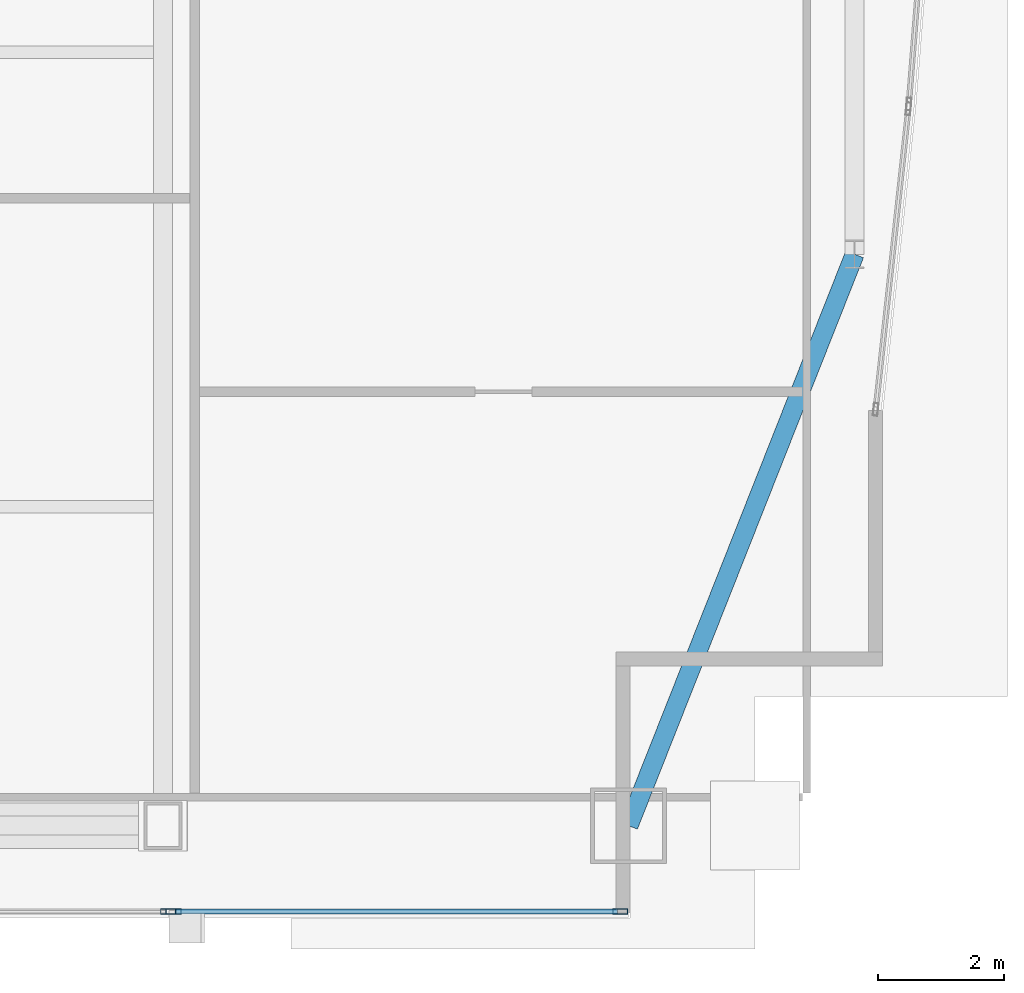
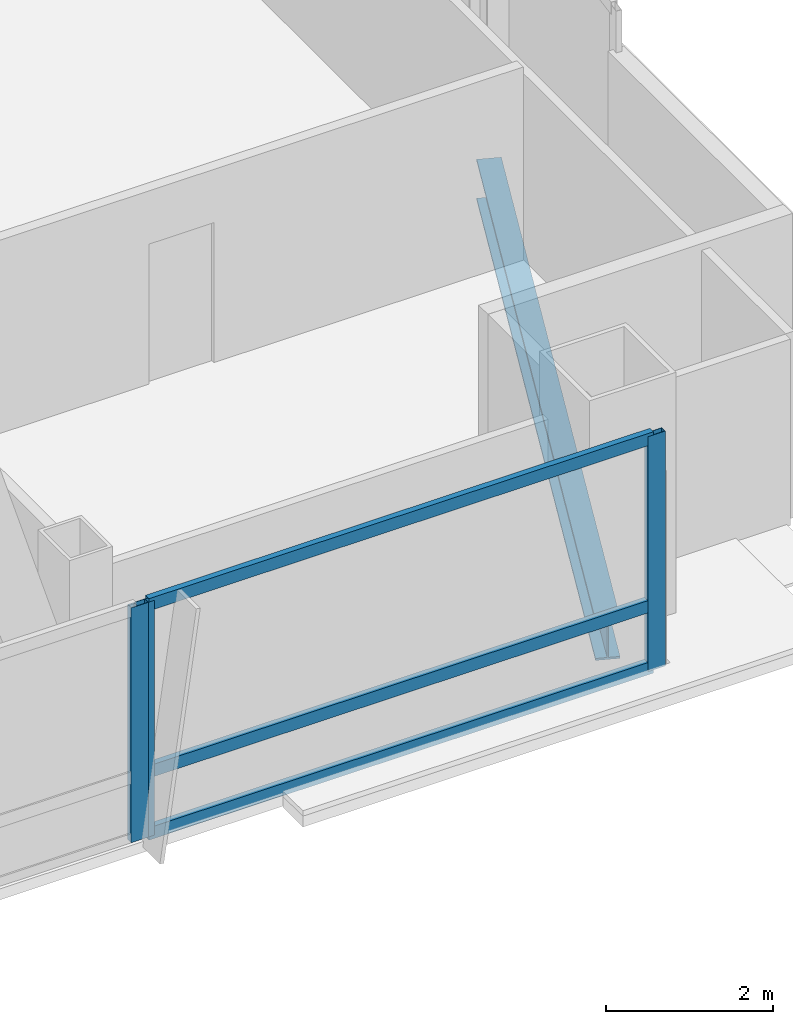
# One storey, part 14 of 32: 6 members, 1 beam, 2 elements without a shape of their own.
"""IFC4 building model written with IfcOpenShell, lengths in metres."""

from ifc_helpers import new_model, si_unit, direction, frame, origin, origin_2d, place, context, subcontext, project, spatial, hollow_rectangle, i_section, extrude, material, material_profile, profile_set, type_object, element, aggregate, save


model = new_model("IFC4")

# Units and contexts
model_context = context("Model", 3, precision=1e-05, world=origin(), true_north=direction((0.0, 1.0)))
body_context = subcontext(model_context, "Body", "Model", "MODEL_VIEW")
ifc_project = project(units=[si_unit("LENGTHUNIT", "METRE"), si_unit("AREAUNIT", "SQUARE_METRE"), si_unit("VOLUMEUNIT", "CUBIC_METRE"), si_unit("PLANEANGLEUNIT", "RADIAN"), si_unit("MASSUNIT", "GRAM", prefix="KILO")], contexts=[model_context])

# Site, building, storey
site_placement = place(None, origin())
site = spatial("IfcSite", under=ifc_project, at=site_placement, CompositionType="ELEMENT")
building_placement = place(site_placement, origin())
building = spatial("IfcBuilding", under=site, at=building_placement, Name="Khoronbel Lancet Exchange", CompositionType="ELEMENT")
storey_placement = place(building_placement, frame((0.0, 0.0, 188.60009765625)))
storey = spatial("IfcBuildingStorey", under=building, at=storey_placement, Name="L47", CompositionType="ELEMENT", Elevation=188.60009765625)

# Beam
ifc_material_1 = material(Name="Steel S355", Category="steel")
ifc_material_profile_1 = material_profile(ifc_material_1, i_section(OverallWidth=0.300048828125, OverallDepth=0.60009765625, WebThickness=0.015380859375, FlangeThickness=0.030029296875, at=origin_2d()), Name="HEB 600")
ifc_profile_set_1 = profile_set([ifc_material_profile_1], Name="Steel S355")
beam_type = type_object("IfcBeamType", Name="BM-BSP2", PredefinedType="SPANDREL", material=ifc_profile_set_1)
beam_placement = place(storey_placement, frame((62.050048828125, 10.14990234375, -0.460205078125), z_axis=(0.367828403855, 0.929893684954, 0.0), x_axis=(-0.929893684954, 0.367828403855, 0.0)))
element("IfcBeam", 1, at=beam_placement, inside=storey, type_object=beam_type, Name="Level L47 perimeter spandrel beam SP08", PredefinedType="SPANDREL", context=body_context, shape_type="SweptSolid", body=[
    extrude(i_section(OverallWidth=0.300048828125, OverallDepth=0.60009765625, WebThickness=0.015380859375, FlangeThickness=0.030029296875, at=origin_2d()), origin(), (0.0, 0.0, 1.0), 9.732421875),
])

# Curtain wall, member
ifc_material_2 = material(Name="Low-E Solar Control Insulating Glass", Category="glass")
curtain_wall_type = type_object("IfcCurtainWallType", Name="CW-3", PredefinedType="NOTDEFINED", material=ifc_material_2)
curtain_wall_1_placement = place(storey_placement, origin())
curtain_wall_1 = element("IfcCurtainWall", 2, at=curtain_wall_1_placement, inside=storey, type_object=curtain_wall_type, Name="Unitised curtain wall CW-L47-SEB", PredefinedType="NOTDEFINED")
ifc_material_3 = material(Name="Bronze-Anodised Aluminium 6063-T6", Category="aluminium")
ifc_material_profile_2 = material_profile(ifc_material_3, hollow_rectangle(XDim=0.0849609375, YDim=0.239990234375, WallThickness=0.006103515625, at=origin_2d()), Name="ALU MULLION 85x240")
ifc_profile_set_2 = profile_set([ifc_material_profile_2], Name="Bronze-Anodised Aluminium 6063-T6")
member_type_1 = type_object("IfcMemberType", Name="MEM-CWM1", PredefinedType="MULLION", material=ifc_profile_set_2)
member_1_placement = place(storey_placement, frame((54.757568359375, 8.7900390625, 0.0), z_axis=(0.0, 0.0, 1.0), x_axis=(0.0, 1.0, 0.0)))
member_1 = element("IfcMember", 3, at=member_1_placement, type_object=member_type_1, Name="CW3 mullion 2", PredefinedType="MULLION", context=body_context, shape_type="SweptSolid", body=[
    extrude(hollow_rectangle(XDim=0.0849609375, YDim=0.239990234375, WallThickness=0.006103515625, at=origin_2d()), origin(), (0.0, 0.0, 1.0), 3.43994140625),
])
aggregate(curtain_wall_1, [member_1])

# Curtain wall, members
curtain_wall_2_placement = place(storey_placement, origin())
curtain_wall_2 = element("IfcCurtainWall", 4, at=curtain_wall_2_placement, inside=storey, type_object=curtain_wall_type, Name="Unitised curtain wall CW-L47-SEV", PredefinedType="NOTDEFINED")
member_2_placement = place(storey_placement, frame((54.842529296875, 8.7900390625, 0.0), z_axis=(0.0, 0.0, 1.0), x_axis=(0.0, 1.0, 0.0)))
member_2 = element("IfcMember", 5, at=member_2_placement, type_object=member_type_1, Name="CW3 mullion 1", PredefinedType="MULLION", context=body_context, shape_type="SweptSolid", body=[
    extrude(hollow_rectangle(XDim=0.0849609375, YDim=0.239990234375, WallThickness=0.006103515625, at=origin_2d()), origin(), (0.0, 0.0, 1.0), 3.43994140625),
])
member_3_placement = place(storey_placement, frame((61.91748046875, 8.7900390625, 0.0), z_axis=(0.0, 0.0, 1.0), x_axis=(0.0, 1.0, 0.0)))
member_3 = element("IfcMember", 6, at=member_3_placement, type_object=member_type_1, Name="CW3 mullion 2", PredefinedType="MULLION", context=body_context, shape_type="SweptSolid", body=[
    extrude(hollow_rectangle(XDim=0.0849609375, YDim=0.239990234375, WallThickness=0.006103515625, at=origin_2d()), origin(), (0.0, 0.0, 1.0), 3.43994140625),
])
ifc_material_profile_3 = material_profile(ifc_material_3, hollow_rectangle(XDim=0.0849609375, YDim=0.179931640625, WallThickness=0.0048828125, at=origin_2d()), Name="ALU TRANSOM 85x180")
ifc_profile_set_3 = profile_set([ifc_material_profile_3], Name="Bronze-Anodised Aluminium 6063-T6")
member_type_2 = type_object("IfcMemberType", Name="MEM-CWT1", PredefinedType="USERDEFINED", material=ifc_profile_set_3)
member_4_placement = place(storey_placement, frame((54.885009765625, 8.7900390625, 0.04248046875), z_axis=(1.0, 0.0, 0.0), x_axis=(0.0, 1.0, 0.0)))
member_4 = element("IfcMember", 7, at=member_4_placement, type_object=member_type_2, Name="CW3 transom 1.1", ObjectType="TRANSOM", PredefinedType="USERDEFINED", context=body_context, shape_type="SweptSolid", body=[
    extrude(hollow_rectangle(XDim=0.0849609375, YDim=0.179931640625, WallThickness=0.0048828125, at=origin_2d()), origin(), (0.0, 0.0, 1.0), 6.989990234375),
])
member_5_placement = place(storey_placement, frame((54.885009765625, 8.7900390625, 0.949951171875), z_axis=(1.0, 0.0, 0.0), x_axis=(0.0, 1.0, 0.0)))
member_5 = element("IfcMember", 8, at=member_5_placement, type_object=member_type_2, Name="CW3 transom 1.2", ObjectType="TRANSOM", PredefinedType="USERDEFINED", context=body_context, shape_type="SweptSolid", body=[
    extrude(hollow_rectangle(XDim=0.0849609375, YDim=0.179931640625, WallThickness=0.0048828125, at=origin_2d()), origin(), (0.0, 0.0, 1.0), 6.989990234375),
])
member_6_placement = place(storey_placement, frame((54.885009765625, 8.7900390625, 3.3974609375), z_axis=(1.0, 0.0, 0.0), x_axis=(0.0, 1.0, 0.0)))
member_6 = element("IfcMember", 9, at=member_6_placement, type_object=member_type_2, Name="CW3 transom 1.3", ObjectType="TRANSOM", PredefinedType="USERDEFINED", context=body_context, shape_type="SweptSolid", body=[
    extrude(hollow_rectangle(XDim=0.0849609375, YDim=0.179931640625, WallThickness=0.0048828125, at=origin_2d()), origin(), (0.0, 0.0, 1.0), 6.989990234375),
])
aggregate(curtain_wall_2, [member_2, member_3, member_4, member_5, member_6])

save(model, "model.ifc")
